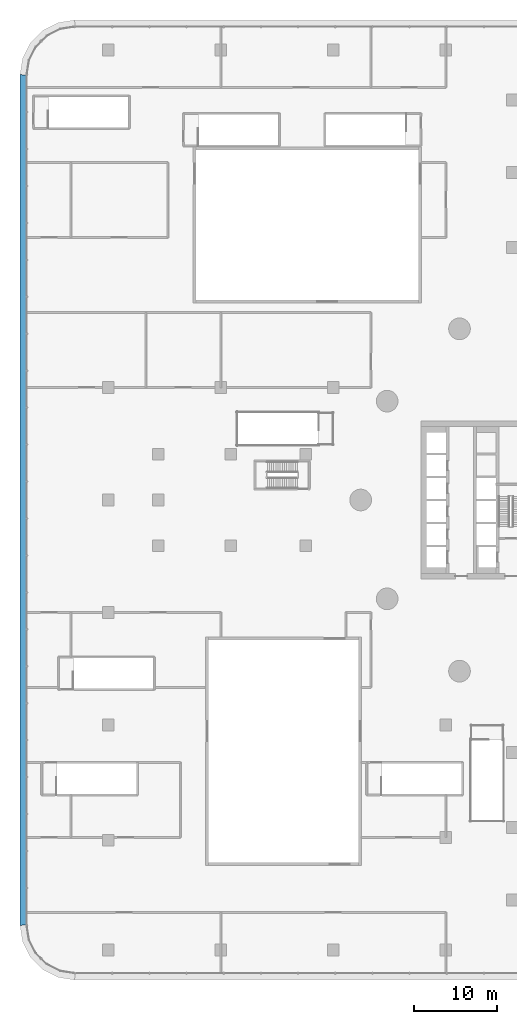
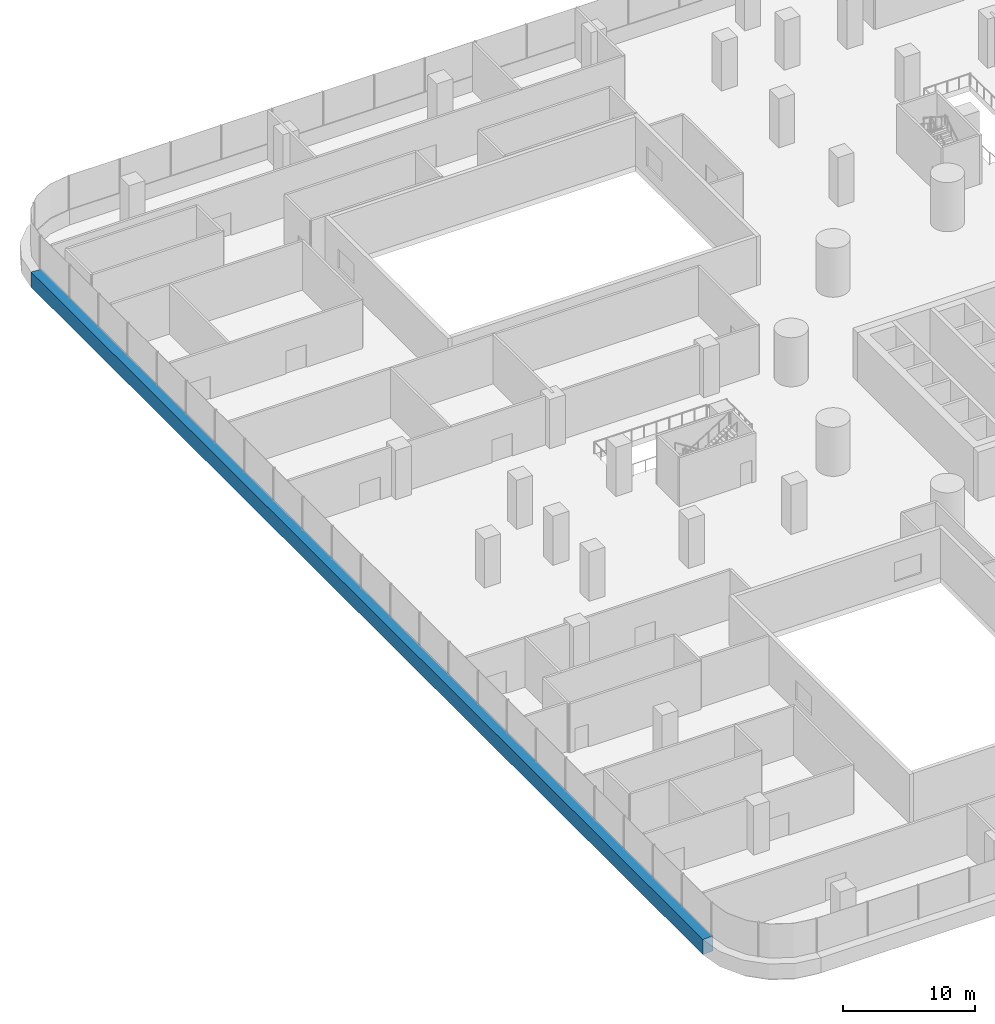
# One storey, part 5 of 38: 1 member, 1 element without a shape of its own.
"""IFC4 building model written with IfcOpenShell, lengths in metres."""

import ifcopenshell
import ifcopenshell.guid

model = None  # the IFC model being written
_history = None  # IfcOwnerHistory: only IFC2X3 demands one
_inside = {}  # id of a spatial element -> (the spatial element, [elements in it])
_under = {}  # id of a project, library or spatial element -> (it, [spatial elements below it])
_declared = {}  # id of a project -> (the project, [libraries it declares])
_typed = {}  # id of a type object -> (the type object, [elements of that type])
_made_of = {}  # id of a material, layer set ... -> (it, [elements and type objects made of it])


def new_model(schema):
    """Start an empty IFC model of exactly this schema.

    Asked for "IFC4X3", IfcOpenShell would pick the latest addendum, in which some entities
    have other attributes; the version numbers below select the first issue.
    IFC2X3 requires an IfcOwnerHistory on every rooted entity: one is made here for all.
    """
    global model, _history
    if schema == "IFC4X3":
        model = ifcopenshell.file(schema_version=(4, 3, 0, 0))
    else:
        model = ifcopenshell.file(schema=schema)
    _inside.clear()
    _under.clear()
    _declared.clear()
    _typed.clear()
    _made_of.clear()
    _history = None
    if model.schema == "IFC2X3":
        org = make("IfcOrganization", Name="unknown")
        user = make(
            "IfcPersonAndOrganization",
            ThePerson=make("IfcPerson", FamilyName="unknown"),
            TheOrganization=org,
        )
        app = make(
            "IfcApplication",
            ApplicationDeveloper=org,
            Version="unknown",
            ApplicationFullName="unknown",
            ApplicationIdentifier="unknown",
        )
        _history = make(
            "IfcOwnerHistory",
            OwningUser=user,
            OwningApplication=app,
            ChangeAction="ADDED",
            CreationDate=0,
        )
    return model


def make(cls, **values):
    """One entity of the class cls with the attributes given. An attribute that is None is left unset."""
    return model.create_entity(
        cls, **{name: value for name, value in values.items() if value is not None}
    )


def rooted(cls, **values):
    """An entity with a GlobalId (a new one), such as an element, a storey or a relation."""
    return make(cls, GlobalId=ifcopenshell.guid.new(), OwnerHistory=_history, **values)


def si_unit(unit_type, name, prefix=None):
    """IfcSIUnit, for example si_unit("LENGTHUNIT", "METRE", prefix="MILLI")."""
    return make("IfcSIUnit", UnitType=unit_type, Prefix=prefix, Name=name)


def assignment(units):
    """IfcUnitAssignment: the units of a project."""
    return None if units is None else make("IfcUnitAssignment", Units=units)


def point(xyz):
    """IfcCartesianPoint."""
    return None if xyz is None else make("IfcCartesianPoint", Coordinates=xyz)


def direction(xyz):
    """IfcDirection."""
    return None if xyz is None else make("IfcDirection", DirectionRatios=xyz)


def frame(location, z_axis=None, x_axis=None):
    """IfcAxis2Placement3D, a coordinate frame: its origin and axes. An axis left out is left unset."""
    return make(
        "IfcAxis2Placement3D",
        Location=point(location),
        Axis=direction(z_axis),
        RefDirection=direction(x_axis),
    )


def origin():
    """The frame at (0, 0, 0) with its axes left unset."""
    return frame((0.0, 0.0, 0.0))


def place(relative_to, where):
    """IfcLocalPlacement: puts the frame where relative to a parent placement (None: the world)."""
    return make(
        "IfcLocalPlacement", PlacementRelTo=relative_to, RelativePlacement=where
    )


def context(
    kind, dimensions, precision=None, world=None, true_north=None, identifier=None
):
    """IfcGeometricRepresentationContext, for example the 3D "Model" context."""
    return make(
        "IfcGeometricRepresentationContext",
        ContextIdentifier=identifier,
        ContextType=kind,
        CoordinateSpaceDimension=dimensions,
        Precision=precision,
        WorldCoordinateSystem=world,
        TrueNorth=true_north,
    )


def subcontext(parent, identifier, kind, view, scale=None):
    """IfcGeometricRepresentationSubContext, for example "Body" below "Model"."""
    return make(
        "IfcGeometricRepresentationSubContext",
        ContextIdentifier=identifier,
        ContextType=kind,
        ParentContext=parent,
        TargetScale=scale,
        TargetView=view,
    )


def project(units=None, contexts=None):
    """IfcProject with its units and contexts."""
    return rooted(
        "IfcProject",
        Name="project",
        RepresentationContexts=contexts,
        UnitsInContext=assignment(units),
    )


def spatial(cls, under=None, at=None, **own):
    """A site, building, storey or space (cls), placed at a placement, below another one or the project."""
    s = rooted(cls, ObjectPlacement=at, **own)
    if under is not None:
        _under.setdefault(under.id(), (under, []))[1].append(s)
    return s


def polyline(points):
    """IfcPolyline through the points."""
    return make("IfcPolyline", Points=[point(p) for p in points])


def outline(outer, holes=None, kind="AREA"):
    """IfcArbitraryClosedProfileDef: a profile drawn as a closed curve; with holes, ...WithVoids."""
    if holes is None:
        return make("IfcArbitraryClosedProfileDef", ProfileType=kind, OuterCurve=outer)
    return make(
        "IfcArbitraryProfileDefWithVoids",
        ProfileType=kind,
        OuterCurve=outer,
        InnerCurves=holes,
    )


def extrude(swept, where, along, depth):
    """IfcExtrudedAreaSolid: the profile swept, set in the frame where, extruded along a direction by depth."""
    return make(
        "IfcExtrudedAreaSolid",
        SweptArea=swept,
        Position=where,
        ExtrudedDirection=direction(along),
        Depth=depth,
    )


def shape(context_of_items, identifier, shape_type, items):
    """IfcShapeRepresentation: the items that make up one representation, for example the "Body"."""
    return make(
        "IfcShapeRepresentation",
        ContextOfItems=context_of_items,
        RepresentationIdentifier=identifier,
        RepresentationType=shape_type,
        Items=items,
    )


def material(Name=None, Category=None):
    """IfcMaterial."""
    return make("IfcMaterial", Name=Name, Category=Category)


def layer(
    of_material, thickness, ventilated=None, Name=None, Category=None, Priority=None
):
    """IfcMaterialLayer: one layer of a wall or slab, of a material (None: an air gap)."""
    return make(
        "IfcMaterialLayer",
        Material=of_material,
        LayerThickness=thickness,
        IsVentilated=ventilated,
        Name=Name,
        Category=Category,
        Priority=Priority,
    )


def layer_set(layers, Name=None):
    """IfcMaterialLayerSet."""
    return make("IfcMaterialLayerSet", MaterialLayers=layers, LayerSetName=Name)


def made_of(thing, what):
    """Note that an element or type object is made of a material, layer set ...; save() writes the relation."""
    if what is not None:
        _made_of.setdefault(what.id(), (what, []))[1].append(thing)
    return thing


def type_object(cls, material=None, **own):
    """A type object (cls), such as IfcWallType, which elements share."""
    return made_of(rooted(cls, **own), material)


def element(
    cls,
    number,
    at=None,
    inside=None,
    cuts=None,
    type_object=None,
    material=None,
    context=None,
    identifier="Body",
    shape_type=None,
    held_by="IfcProductDefinitionShape",
    body=None,
    shapes=None,
    **own,
):
    """One element of the class cls, such as IfcWall. Its Tag is "e" and its number.

    at: its placement. inside: the storey or other place that contains it. cuts: it is an
    opening in that element (IfcRelVoidsElement). A single representation is given by context,
    identifier, shape_type and body (its items); several are given by shapes. held_by: the class
    of the entity that holds the representations. save() writes the other relations.
    """
    e = rooted(cls, Tag="e%d" % number, ObjectPlacement=at, **own)
    if body is not None:
        shapes = [shape(context, identifier, shape_type, body)]
    if shapes is not None:
        e.Representation = make(held_by, Representations=shapes)
    if inside is not None:
        _inside.setdefault(inside.id(), (inside, []))[1].append(e)
    if cuts is not None:
        rooted(
            "IfcRelVoidsElement", RelatingBuildingElement=cuts, RelatedOpeningElement=e
        )
    if type_object is not None:
        _typed.setdefault(type_object.id(), (type_object, []))[1].append(e)
    return made_of(e, material)


def aggregate(whole, parts):
    """IfcRelAggregates: a whole, such as a stair, and the parts it consists of."""
    return rooted("IfcRelAggregates", RelatingObject=whole, RelatedObjects=parts)


def save(model, path):
    """Write the relations noted so far, then the file.

    IfcRelAggregates (storeys below a building ...), IfcRelContainedInSpatialStructure (elements
    in a storey), IfcRelDefinesByType, IfcRelAssociatesMaterial and IfcRelDeclares: one each for
    every whole, place, type object, material and project.
    """
    for whole, parts in _under.values():
        aggregate(whole, parts)
    for where, things in _inside.values():
        rooted(
            "IfcRelContainedInSpatialStructure",
            RelatedElements=things,
            RelatingStructure=where,
        )
    for kind, things in _typed.values():
        rooted("IfcRelDefinesByType", RelatedObjects=things, RelatingType=kind)
    for what, things in _made_of.values():
        rooted("IfcRelAssociatesMaterial", RelatedObjects=things, RelatingMaterial=what)
    for by, libraries in _declared.values():
        rooted("IfcRelDeclares", RelatingContext=by, RelatedDefinitions=libraries)
    model.write(path)


model = new_model("IFC4")

# Units and contexts
model_context = context("Model", 3, precision=1e-05, world=origin(), true_north=direction((0.0, 1.0)))
body_context = subcontext(model_context, "Body", "Model", "MODEL_VIEW")
ifc_project = project(units=[si_unit("LENGTHUNIT", "METRE"), si_unit("AREAUNIT", "SQUARE_METRE"), si_unit("VOLUMEUNIT", "CUBIC_METRE"), si_unit("PLANEANGLEUNIT", "RADIAN"), si_unit("MASSUNIT", "GRAM", prefix="KILO")], contexts=[model_context])

# Site, building, storey
site_placement = place(None, origin())
site = spatial("IfcSite", under=ifc_project, at=site_placement, CompositionType="ELEMENT")
building_placement = place(site_placement, origin())
building = spatial("IfcBuilding", under=site, at=building_placement, Name="Tamarind Cross Interchange Tower", CompositionType="ELEMENT")
storey_placement = place(building_placement, frame((0.0, 0.0, 20.0)))
storey = spatial("IfcBuildingStorey", under=building, at=storey_placement, Name="L03", CompositionType="ELEMENT", Elevation=20.0)

# Curtain wall, member
ifc_material_1 = material(Name="Aluminium 6063-T6", Category="aluminium")
ifc_layer = layer(ifc_material_1, 0.199951171875)
ifc_layer_set = layer_set([ifc_layer], Name="Aluminium 6063-T6")
curtain_wall_type = type_object("IfcCurtainWallType", Name="Podium shopfront and station curtain wall", PredefinedType="NOTDEFINED", material=ifc_layer_set)
curtain_wall_placement = place(storey_placement, origin())
curtain_wall = element("IfcCurtainWall", 1, at=curtain_wall_placement, inside=storey, type_object=curtain_wall_type, Name="CWS-L03-04", PredefinedType="NOTDEFINED")
ifc_material_2 = material(Name="Aluminium and insulated spandrel panel", Category="aluminium")
member_type = type_object("IfcMemberType", Name="Floor-edge blade transom", PredefinedType="USERDEFINED", material=ifc_material_2)
member_placement = place(storey_placement, origin())
member = element("IfcMember", 2, at=member_placement, type_object=member_type, Name="CWT-L03-04", ObjectType="TRANSOM", PredefinedType="USERDEFINED", context=body_context, shape_type="SweptSolid", body=[
    extrude(outline(polyline([(-63.699951171875, 50.976318359375), (-63.699951171875, -50.976318359375), (-64.60009765625, -51.047119140625), (-64.60009765625, 51.047119140625), (-63.699951171875, 50.976318359375)])), origin(), (0.0, 0.0, 1.0), 1.39990234375),
])
aggregate(curtain_wall, [member])

save(model, "model.ifc")
